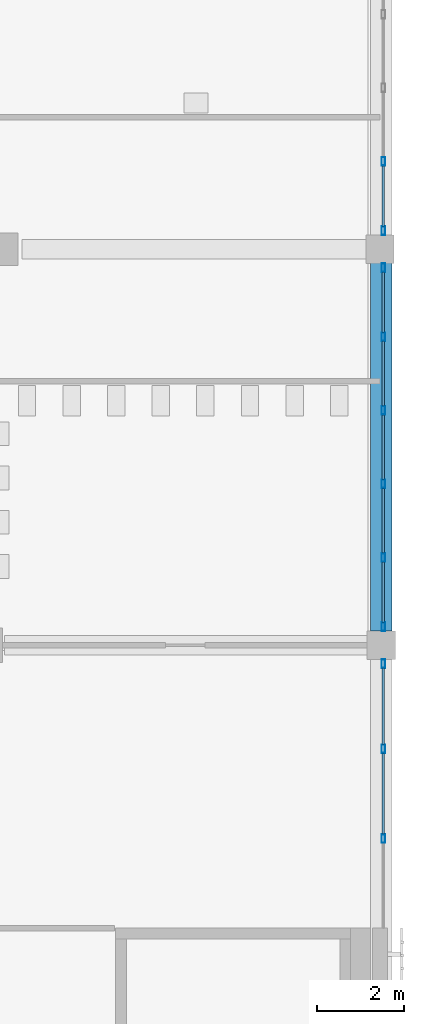
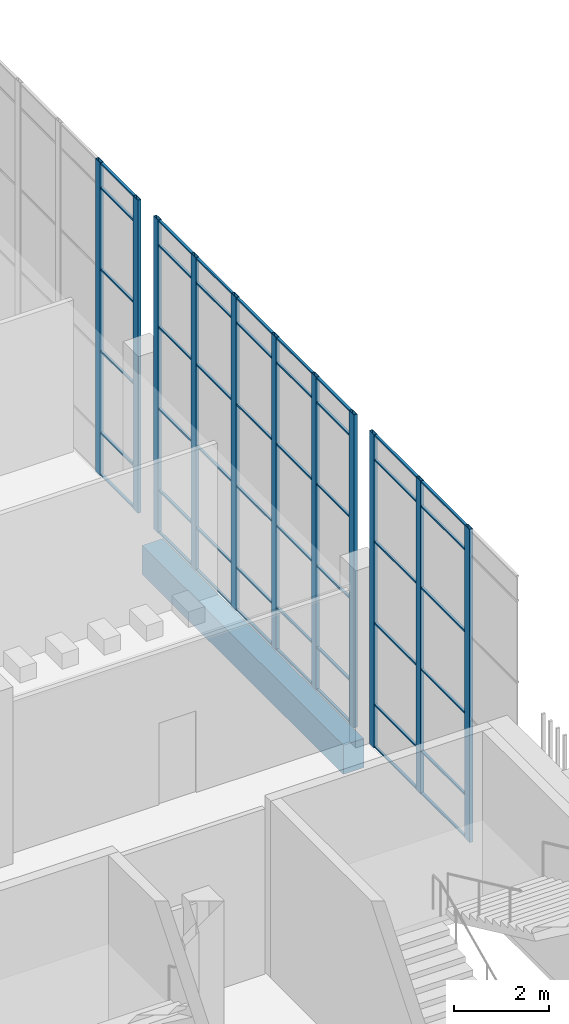
# One storey, part 52 of 126: 59 members, 1 beam, 3 elements without a shape of their own.
"""IFC4 building model written with IfcOpenShell, lengths in metres."""

from ifc_helpers import new_model, si_unit, direction, frame, origin, origin_2d, place, context, subcontext, project, spatial, rectangle, hollow_rectangle, extrude, material, layer, layer_set, material_profile, profile_set, type_object, element, aggregate, save


model = new_model("IFC4")

# Units and contexts
model_context = context("Model", 3, precision=1e-05, world=origin(), true_north=direction((0.0, 1.0)))
body_context = subcontext(model_context, "Body", "Model", "MODEL_VIEW")
ifc_project = project(units=[si_unit("LENGTHUNIT", "METRE"), si_unit("AREAUNIT", "SQUARE_METRE"), si_unit("VOLUMEUNIT", "CUBIC_METRE"), si_unit("PLANEANGLEUNIT", "RADIAN"), si_unit("MASSUNIT", "GRAM", prefix="KILO")], contexts=[model_context])

# Site, building, storey
site_placement = place(None, origin())
site = spatial("IfcSite", under=ifc_project, at=site_placement, CompositionType="ELEMENT")
building_placement = place(site_placement, origin())
building = spatial("IfcBuilding", under=site, at=building_placement, Name="Shirokan Park Arena", CompositionType="ELEMENT")
storey_placement = place(building_placement, frame((0.0, 0.0, 6.3701171875)))
storey = spatial("IfcBuildingStorey", under=building, at=storey_placement, Name="L01", CompositionType="ELEMENT", Elevation=6.3701171875)

# Curtain wall, members
ifc_material_1 = material(Name="Steel and glass curtain wall", Category="steel")
ifc_layer = layer(ifc_material_1, 0.199951171875)
ifc_layer_set = layer_set([ifc_layer], Name="Steel and glass curtain wall 200 mm")
curtain_wall_type = type_object("IfcCurtainWallType", Name="Curtain wall hall bay 200", PredefinedType="NOTDEFINED", material=ifc_layer_set)
curtain_wall_1_placement = place(storey_placement, origin())
curtain_wall_1 = element("IfcCurtainWall", 1, at=curtain_wall_1_placement, inside=storey, type_object=curtain_wall_type, Name="Curtain wall east bay 4 L01", PredefinedType="NOTDEFINED")
ifc_material_2 = material(Name="Steel S355", Category="steel")
ifc_material_profile_1 = material_profile(ifc_material_2, hollow_rectangle(XDim=0.080078125, YDim=0.199951171875, WallThickness=0.008056640625, at=origin_2d()), Name="RHS 200x80x8")
ifc_profile_set_1 = profile_set([ifc_material_profile_1], Name="Steel S355")
member_type_1 = type_object("IfcMemberType", Name="Mullion RHS 200x80x8", PredefinedType="MULLION", material=ifc_profile_set_1)
member_1_placement = place(storey_placement, frame((145.64990234375, 31.958251953125, 0.0), z_axis=(0.0, 0.0, 1.0), x_axis=(-1.0, 0.0, 0.0)))
member_1 = element("IfcMember", 2, at=member_1_placement, type_object=member_type_1, Name="CW5 mullion 2", PredefinedType="MULLION", context=body_context, shape_type="SweptSolid", body=[
    extrude(hollow_rectangle(XDim=0.080078125, YDim=0.199951171875, WallThickness=0.008056640625, at=origin_2d()), origin(), (0.0, 0.0, 1.0), 8.0498046875),
])
member_2_placement = place(storey_placement, frame((145.64990234375, 34.0166015625, 0.0), z_axis=(0.0, 0.0, 1.0), x_axis=(-1.0, 0.0, 0.0)))
member_2 = element("IfcMember", 3, at=member_2_placement, type_object=member_type_1, Name="CW5 mullion 3", PredefinedType="MULLION", context=body_context, shape_type="SweptSolid", body=[
    extrude(hollow_rectangle(XDim=0.080078125, YDim=0.199951171875, WallThickness=0.008056640625, at=origin_2d()), origin(), (0.0, 0.0, 1.0), 8.0498046875),
])
member_3_placement = place(storey_placement, frame((145.64990234375, 35.97509765625, 0.0), z_axis=(0.0, 0.0, 1.0), x_axis=(-1.0, 0.0, 0.0)))
member_3 = element("IfcMember", 4, at=member_3_placement, type_object=member_type_1, Name="CW5 mullion 4", PredefinedType="MULLION", context=body_context, shape_type="SweptSolid", body=[
    extrude(hollow_rectangle(XDim=0.080078125, YDim=0.199951171875, WallThickness=0.008056640625, at=origin_2d()), origin(), (0.0, 0.0, 1.0), 8.0498046875),
])

curtain_wall_2_placement = place(storey_placement, origin())
curtain_wall_2 = element("IfcCurtainWall", 5, at=curtain_wall_2_placement, inside=storey, type_object=curtain_wall_type, Name="Curtain wall east bay 5 L01", PredefinedType="NOTDEFINED")
member_4_placement = place(storey_placement, frame((145.64990234375, 36.824951171875, 0.0), z_axis=(0.0, 0.0, 1.0), x_axis=(-1.0, 0.0, 0.0)))
member_4 = element("IfcMember", 6, at=member_4_placement, type_object=member_type_1, Name="CW5 mullion 1", PredefinedType="MULLION", context=body_context, shape_type="SweptSolid", body=[
    extrude(hollow_rectangle(XDim=0.080078125, YDim=0.199951171875, WallThickness=0.008056640625, at=origin_2d()), origin(), (0.0, 0.0, 1.0), 8.0498046875),
])
member_5_placement = place(storey_placement, frame((145.64990234375, 38.4150390625, 0.0), z_axis=(0.0, 0.0, 1.0), x_axis=(-1.0, 0.0, 0.0)))
member_5 = element("IfcMember", 7, at=member_5_placement, type_object=member_type_1, Name="CW5 mullion 2", PredefinedType="MULLION", context=body_context, shape_type="SweptSolid", body=[
    extrude(hollow_rectangle(XDim=0.080078125, YDim=0.199951171875, WallThickness=0.008056640625, at=origin_2d()), origin(), (0.0, 0.0, 1.0), 8.0498046875),
])
member_6_placement = place(storey_placement, frame((145.64990234375, 40.10498046875, 0.0), z_axis=(0.0, 0.0, 1.0), x_axis=(-1.0, 0.0, 0.0)))
member_6 = element("IfcMember", 8, at=member_6_placement, type_object=member_type_1, Name="CW5 mullion 3", PredefinedType="MULLION", context=body_context, shape_type="SweptSolid", body=[
    extrude(hollow_rectangle(XDim=0.080078125, YDim=0.199951171875, WallThickness=0.008056640625, at=origin_2d()), origin(), (0.0, 0.0, 1.0), 8.0498046875),
])
member_7_placement = place(storey_placement, frame((145.64990234375, 41.794921875, 0.0), z_axis=(0.0, 0.0, 1.0), x_axis=(-1.0, 0.0, 0.0)))
member_7 = element("IfcMember", 9, at=member_7_placement, type_object=member_type_1, Name="CW5 mullion 4", PredefinedType="MULLION", context=body_context, shape_type="SweptSolid", body=[
    extrude(hollow_rectangle(XDim=0.080078125, YDim=0.199951171875, WallThickness=0.008056640625, at=origin_2d()), origin(), (0.0, 0.0, 1.0), 8.0498046875),
])
member_8_placement = place(storey_placement, frame((145.64990234375, 43.485107421875, 0.0), z_axis=(0.0, 0.0, 1.0), x_axis=(-1.0, 0.0, 0.0)))
member_8 = element("IfcMember", 10, at=member_8_placement, type_object=member_type_1, Name="CW5 mullion 5", PredefinedType="MULLION", context=body_context, shape_type="SweptSolid", body=[
    extrude(hollow_rectangle(XDim=0.080078125, YDim=0.199951171875, WallThickness=0.008056640625, at=origin_2d()), origin(), (0.0, 0.0, 1.0), 8.0498046875),
])
member_9_placement = place(storey_placement, frame((145.64990234375, 45.074951171875, 0.0), z_axis=(0.0, 0.0, 1.0), x_axis=(-1.0, 0.0, 0.0)))
member_9 = element("IfcMember", 11, at=member_9_placement, type_object=member_type_1, Name="CW5 mullion 6", PredefinedType="MULLION", context=body_context, shape_type="SweptSolid", body=[
    extrude(hollow_rectangle(XDim=0.080078125, YDim=0.199951171875, WallThickness=0.008056640625, at=origin_2d()), origin(), (0.0, 0.0, 1.0), 8.0498046875),
])

curtain_wall_3_placement = place(storey_placement, origin())
curtain_wall_3 = element("IfcCurtainWall", 12, at=curtain_wall_3_placement, inside=storey, type_object=curtain_wall_type, Name="Curtain wall east bay 6 L01", PredefinedType="NOTDEFINED")
member_10_placement = place(storey_placement, frame((145.64990234375, 45.925048828125, 0.0), z_axis=(0.0, 0.0, 1.0), x_axis=(-1.0, 0.0, 0.0)))
member_10 = element("IfcMember", 13, at=member_10_placement, type_object=member_type_1, Name="CW5 mullion 1", PredefinedType="MULLION", context=body_context, shape_type="SweptSolid", body=[
    extrude(hollow_rectangle(XDim=0.080078125, YDim=0.199951171875, WallThickness=0.008056640625, at=origin_2d()), origin(), (0.0, 0.0, 1.0), 8.0498046875),
])
member_11_placement = place(storey_placement, frame((145.64990234375, 47.514892578125, 0.0), z_axis=(0.0, 0.0, 1.0), x_axis=(-1.0, 0.0, 0.0)))
member_11 = element("IfcMember", 14, at=member_11_placement, type_object=member_type_1, Name="CW5 mullion 2", PredefinedType="MULLION", context=body_context, shape_type="SweptSolid", body=[
    extrude(hollow_rectangle(XDim=0.080078125, YDim=0.199951171875, WallThickness=0.008056640625, at=origin_2d()), origin(), (0.0, 0.0, 1.0), 8.0498046875),
])

# Beam
ifc_material_3 = material(Name="Concrete C35", Category="concrete")
ifc_material_profile_2 = material_profile(ifc_material_3, rectangle(XDim=0.5, YDim=0.75, at=origin_2d()), Name="500x750")
ifc_profile_set_2 = profile_set([ifc_material_profile_2], Name="Concrete C35")
beam_type = type_object("IfcBeamType", Name="RC girder 500x750", PredefinedType="BEAM", material=ifc_profile_set_2)
beam_placement = place(storey_placement, frame((145.60009765625, 36.72509765625, -0.72509765625), z_axis=(0.0, 1.0, 0.0), x_axis=(-1.0, 0.0, 0.0)))
element("IfcBeam", 15, at=beam_placement, inside=storey, type_object=beam_type, Name="Girder 17E-17F L01", PredefinedType="BEAM", context=body_context, shape_type="SweptSolid", body=[
    extrude(rectangle(XDim=0.5, YDim=0.75, at=origin_2d()), origin(), (0.0, 0.0, 1.0), 8.474853515625),
])

# Member
ifc_material_profile_3 = material_profile(ifc_material_2, hollow_rectangle(XDim=0.06005859375, YDim=0.0400390625, WallThickness=0.00390625, at=origin_2d()), Name="RHS 60x40x4")
ifc_profile_set_3 = profile_set([ifc_material_profile_3], Name="Steel S355")
member_type_2 = type_object("IfcMemberType", Name="Transom RHS 60x40x4", PredefinedType="MULLION", material=ifc_profile_set_3)
member_12_placement = place(storey_placement, frame((145.64990234375, 32.058349609375, 0.019775390625), z_axis=(0.0, 1.0, 0.0), x_axis=(-1.0, 0.0, 0.0)))
member_12 = element("IfcMember", 16, at=member_12_placement, type_object=member_type_2, Name="CW5 transom 2.1", PredefinedType="MULLION", context=body_context, shape_type="SweptSolid", body=[
    extrude(hollow_rectangle(XDim=0.06005859375, YDim=0.0400390625, WallThickness=0.00390625, at=origin_2d()), origin(), (0.0, 0.0, 1.0), 1.8583984375),
])

member_13_placement = place(storey_placement, frame((145.64990234375, 32.058349609375, 1.099853515625), z_axis=(0.0, 1.0, 0.0), x_axis=(-1.0, 0.0, 0.0)))
member_13 = element("IfcMember", 17, at=member_13_placement, type_object=member_type_2, Name="CW5 transom 2.2", PredefinedType="MULLION", context=body_context, shape_type="SweptSolid", body=[
    extrude(hollow_rectangle(XDim=0.06005859375, YDim=0.0400390625, WallThickness=0.00390625, at=origin_2d()), origin(), (0.0, 0.0, 1.0), 1.8583984375),
])

member_14_placement = place(storey_placement, frame((145.64990234375, 32.058349609375, 3.199951171875), z_axis=(0.0, 1.0, 0.0), x_axis=(-1.0, 0.0, 0.0)))
member_14 = element("IfcMember", 18, at=member_14_placement, type_object=member_type_2, Name="CW5 transom 2.3", PredefinedType="MULLION", context=body_context, shape_type="SweptSolid", body=[
    extrude(hollow_rectangle(XDim=0.06005859375, YDim=0.0400390625, WallThickness=0.00390625, at=origin_2d()), origin(), (0.0, 0.0, 1.0), 1.8583984375),
])

member_15_placement = place(storey_placement, frame((145.64990234375, 32.058349609375, 5.2998046875), z_axis=(0.0, 1.0, 0.0), x_axis=(-1.0, 0.0, 0.0)))
member_15 = element("IfcMember", 19, at=member_15_placement, type_object=member_type_2, Name="CW5 transom 2.4", PredefinedType="MULLION", context=body_context, shape_type="SweptSolid", body=[
    extrude(hollow_rectangle(XDim=0.06005859375, YDim=0.0400390625, WallThickness=0.00390625, at=origin_2d()), origin(), (0.0, 0.0, 1.0), 1.8583984375),
])

member_16_placement = place(storey_placement, frame((145.64990234375, 32.058349609375, 7.39990234375), z_axis=(0.0, 1.0, 0.0), x_axis=(-1.0, 0.0, 0.0)))
member_16 = element("IfcMember", 20, at=member_16_placement, type_object=member_type_2, Name="CW5 transom 2.5", PredefinedType="MULLION", context=body_context, shape_type="SweptSolid", body=[
    extrude(hollow_rectangle(XDim=0.06005859375, YDim=0.0400390625, WallThickness=0.00390625, at=origin_2d()), origin(), (0.0, 0.0, 1.0), 1.8583984375),
])

member_17_placement = place(storey_placement, frame((145.64990234375, 32.058349609375, 8.02978515625), z_axis=(0.0, 1.0, 0.0), x_axis=(-1.0, 0.0, 0.0)))
member_17 = element("IfcMember", 21, at=member_17_placement, type_object=member_type_2, Name="CW5 transom 2.6", PredefinedType="MULLION", context=body_context, shape_type="SweptSolid", body=[
    extrude(hollow_rectangle(XDim=0.06005859375, YDim=0.0400390625, WallThickness=0.00390625, at=origin_2d()), origin(), (0.0, 0.0, 1.0), 1.8583984375),
])

member_18_placement = place(storey_placement, frame((145.64990234375, 34.11669921875, 0.019775390625), z_axis=(0.0, 1.0, 0.0), x_axis=(-1.0, 0.0, 0.0)))
member_18 = element("IfcMember", 22, at=member_18_placement, type_object=member_type_2, Name="CW5 transom 3.1", PredefinedType="MULLION", context=body_context, shape_type="SweptSolid", body=[
    extrude(hollow_rectangle(XDim=0.06005859375, YDim=0.0400390625, WallThickness=0.00390625, at=origin_2d()), origin(), (0.0, 0.0, 1.0), 1.75830078125),
])

member_19_placement = place(storey_placement, frame((145.64990234375, 34.11669921875, 1.099853515625), z_axis=(0.0, 1.0, 0.0), x_axis=(-1.0, 0.0, 0.0)))
member_19 = element("IfcMember", 23, at=member_19_placement, type_object=member_type_2, Name="CW5 transom 3.2", PredefinedType="MULLION", context=body_context, shape_type="SweptSolid", body=[
    extrude(hollow_rectangle(XDim=0.06005859375, YDim=0.0400390625, WallThickness=0.00390625, at=origin_2d()), origin(), (0.0, 0.0, 1.0), 1.75830078125),
])

member_20_placement = place(storey_placement, frame((145.64990234375, 34.11669921875, 3.199951171875), z_axis=(0.0, 1.0, 0.0), x_axis=(-1.0, 0.0, 0.0)))
member_20 = element("IfcMember", 24, at=member_20_placement, type_object=member_type_2, Name="CW5 transom 3.3", PredefinedType="MULLION", context=body_context, shape_type="SweptSolid", body=[
    extrude(hollow_rectangle(XDim=0.06005859375, YDim=0.0400390625, WallThickness=0.00390625, at=origin_2d()), origin(), (0.0, 0.0, 1.0), 1.75830078125),
])

member_21_placement = place(storey_placement, frame((145.64990234375, 34.11669921875, 5.2998046875), z_axis=(0.0, 1.0, 0.0), x_axis=(-1.0, 0.0, 0.0)))
member_21 = element("IfcMember", 25, at=member_21_placement, type_object=member_type_2, Name="CW5 transom 3.4", PredefinedType="MULLION", context=body_context, shape_type="SweptSolid", body=[
    extrude(hollow_rectangle(XDim=0.06005859375, YDim=0.0400390625, WallThickness=0.00390625, at=origin_2d()), origin(), (0.0, 0.0, 1.0), 1.75830078125),
])

member_22_placement = place(storey_placement, frame((145.64990234375, 34.11669921875, 7.39990234375), z_axis=(0.0, 1.0, 0.0), x_axis=(-1.0, 0.0, 0.0)))
member_22 = element("IfcMember", 26, at=member_22_placement, type_object=member_type_2, Name="CW5 transom 3.5", PredefinedType="MULLION", context=body_context, shape_type="SweptSolid", body=[
    extrude(hollow_rectangle(XDim=0.06005859375, YDim=0.0400390625, WallThickness=0.00390625, at=origin_2d()), origin(), (0.0, 0.0, 1.0), 1.75830078125),
])

member_23_placement = place(storey_placement, frame((145.64990234375, 34.11669921875, 8.02978515625), z_axis=(0.0, 1.0, 0.0), x_axis=(-1.0, 0.0, 0.0)))
member_23 = element("IfcMember", 27, at=member_23_placement, type_object=member_type_2, Name="CW5 transom 3.6", PredefinedType="MULLION", context=body_context, shape_type="SweptSolid", body=[
    extrude(hollow_rectangle(XDim=0.06005859375, YDim=0.0400390625, WallThickness=0.00390625, at=origin_2d()), origin(), (0.0, 0.0, 1.0), 1.75830078125),
])

aggregate(curtain_wall_1, [member_1, member_2, member_3, member_12, member_13, member_14, member_15, member_16, member_17, member_18, member_19, member_20, member_21, member_22, member_23])

member_24_placement = place(storey_placement, frame((145.64990234375, 36.925048828125, 0.019775390625), z_axis=(0.0, 1.0, 0.0), x_axis=(-1.0, 0.0, 0.0)))
member_24 = element("IfcMember", 28, at=member_24_placement, type_object=member_type_2, Name="CW5 transom 1.1", PredefinedType="MULLION", context=body_context, shape_type="SweptSolid", body=[
    extrude(hollow_rectangle(XDim=0.06005859375, YDim=0.0400390625, WallThickness=0.00390625, at=origin_2d()), origin(), (0.0, 0.0, 1.0), 1.389892578125),
])

member_25_placement = place(storey_placement, frame((145.64990234375, 36.925048828125, 1.099853515625), z_axis=(0.0, 1.0, 0.0), x_axis=(-1.0, 0.0, 0.0)))
member_25 = element("IfcMember", 29, at=member_25_placement, type_object=member_type_2, Name="CW5 transom 1.2", PredefinedType="MULLION", context=body_context, shape_type="SweptSolid", body=[
    extrude(hollow_rectangle(XDim=0.06005859375, YDim=0.0400390625, WallThickness=0.00390625, at=origin_2d()), origin(), (0.0, 0.0, 1.0), 1.389892578125),
])

member_26_placement = place(storey_placement, frame((145.64990234375, 36.925048828125, 3.199951171875), z_axis=(0.0, 1.0, 0.0), x_axis=(-1.0, 0.0, 0.0)))
member_26 = element("IfcMember", 30, at=member_26_placement, type_object=member_type_2, Name="CW5 transom 1.3", PredefinedType="MULLION", context=body_context, shape_type="SweptSolid", body=[
    extrude(hollow_rectangle(XDim=0.06005859375, YDim=0.0400390625, WallThickness=0.00390625, at=origin_2d()), origin(), (0.0, 0.0, 1.0), 1.389892578125),
])

member_27_placement = place(storey_placement, frame((145.64990234375, 36.925048828125, 5.2998046875), z_axis=(0.0, 1.0, 0.0), x_axis=(-1.0, 0.0, 0.0)))
member_27 = element("IfcMember", 31, at=member_27_placement, type_object=member_type_2, Name="CW5 transom 1.4", PredefinedType="MULLION", context=body_context, shape_type="SweptSolid", body=[
    extrude(hollow_rectangle(XDim=0.06005859375, YDim=0.0400390625, WallThickness=0.00390625, at=origin_2d()), origin(), (0.0, 0.0, 1.0), 1.389892578125),
])

member_28_placement = place(storey_placement, frame((145.64990234375, 36.925048828125, 7.39990234375), z_axis=(0.0, 1.0, 0.0), x_axis=(-1.0, 0.0, 0.0)))
member_28 = element("IfcMember", 32, at=member_28_placement, type_object=member_type_2, Name="CW5 transom 1.5", PredefinedType="MULLION", context=body_context, shape_type="SweptSolid", body=[
    extrude(hollow_rectangle(XDim=0.06005859375, YDim=0.0400390625, WallThickness=0.00390625, at=origin_2d()), origin(), (0.0, 0.0, 1.0), 1.389892578125),
])

member_29_placement = place(storey_placement, frame((145.64990234375, 36.925048828125, 8.02978515625), z_axis=(0.0, 1.0, 0.0), x_axis=(-1.0, 0.0, 0.0)))
member_29 = element("IfcMember", 33, at=member_29_placement, type_object=member_type_2, Name="CW5 transom 1.6", PredefinedType="MULLION", context=body_context, shape_type="SweptSolid", body=[
    extrude(hollow_rectangle(XDim=0.06005859375, YDim=0.0400390625, WallThickness=0.00390625, at=origin_2d()), origin(), (0.0, 0.0, 1.0), 1.389892578125),
])

member_30_placement = place(storey_placement, frame((145.64990234375, 38.514892578125, 0.019775390625), z_axis=(0.0, 1.0, 0.0), x_axis=(-1.0, 0.0, 0.0)))
member_30 = element("IfcMember", 34, at=member_30_placement, type_object=member_type_2, Name="CW5 transom 2.1", PredefinedType="MULLION", context=body_context, shape_type="SweptSolid", body=[
    extrude(hollow_rectangle(XDim=0.06005859375, YDim=0.0400390625, WallThickness=0.00390625, at=origin_2d()), origin(), (0.0, 0.0, 1.0), 1.489990234375),
])

member_31_placement = place(storey_placement, frame((145.64990234375, 38.514892578125, 1.099853515625), z_axis=(0.0, 1.0, 0.0), x_axis=(-1.0, 0.0, 0.0)))
member_31 = element("IfcMember", 35, at=member_31_placement, type_object=member_type_2, Name="CW5 transom 2.2", PredefinedType="MULLION", context=body_context, shape_type="SweptSolid", body=[
    extrude(hollow_rectangle(XDim=0.06005859375, YDim=0.0400390625, WallThickness=0.00390625, at=origin_2d()), origin(), (0.0, 0.0, 1.0), 1.489990234375),
])

member_32_placement = place(storey_placement, frame((145.64990234375, 38.514892578125, 3.199951171875), z_axis=(0.0, 1.0, 0.0), x_axis=(-1.0, 0.0, 0.0)))
member_32 = element("IfcMember", 36, at=member_32_placement, type_object=member_type_2, Name="CW5 transom 2.3", PredefinedType="MULLION", context=body_context, shape_type="SweptSolid", body=[
    extrude(hollow_rectangle(XDim=0.06005859375, YDim=0.0400390625, WallThickness=0.00390625, at=origin_2d()), origin(), (0.0, 0.0, 1.0), 1.489990234375),
])

member_33_placement = place(storey_placement, frame((145.64990234375, 38.514892578125, 5.2998046875), z_axis=(0.0, 1.0, 0.0), x_axis=(-1.0, 0.0, 0.0)))
member_33 = element("IfcMember", 37, at=member_33_placement, type_object=member_type_2, Name="CW5 transom 2.4", PredefinedType="MULLION", context=body_context, shape_type="SweptSolid", body=[
    extrude(hollow_rectangle(XDim=0.06005859375, YDim=0.0400390625, WallThickness=0.00390625, at=origin_2d()), origin(), (0.0, 0.0, 1.0), 1.489990234375),
])

member_34_placement = place(storey_placement, frame((145.64990234375, 38.514892578125, 7.39990234375), z_axis=(0.0, 1.0, 0.0), x_axis=(-1.0, 0.0, 0.0)))
member_34 = element("IfcMember", 38, at=member_34_placement, type_object=member_type_2, Name="CW5 transom 2.5", PredefinedType="MULLION", context=body_context, shape_type="SweptSolid", body=[
    extrude(hollow_rectangle(XDim=0.06005859375, YDim=0.0400390625, WallThickness=0.00390625, at=origin_2d()), origin(), (0.0, 0.0, 1.0), 1.489990234375),
])

member_35_placement = place(storey_placement, frame((145.64990234375, 38.514892578125, 8.02978515625), z_axis=(0.0, 1.0, 0.0), x_axis=(-1.0, 0.0, 0.0)))
member_35 = element("IfcMember", 39, at=member_35_placement, type_object=member_type_2, Name="CW5 transom 2.6", PredefinedType="MULLION", context=body_context, shape_type="SweptSolid", body=[
    extrude(hollow_rectangle(XDim=0.06005859375, YDim=0.0400390625, WallThickness=0.00390625, at=origin_2d()), origin(), (0.0, 0.0, 1.0), 1.489990234375),
])

member_36_placement = place(storey_placement, frame((145.64990234375, 40.205078125, 0.019775390625), z_axis=(0.0, 1.0, 0.0), x_axis=(-1.0, 0.0, 0.0)))
member_36 = element("IfcMember", 40, at=member_36_placement, type_object=member_type_2, Name="CW5 transom 3.1", PredefinedType="MULLION", context=body_context, shape_type="SweptSolid", body=[
    extrude(hollow_rectangle(XDim=0.06005859375, YDim=0.0400390625, WallThickness=0.00390625, at=origin_2d()), origin(), (0.0, 0.0, 1.0), 1.489990234375),
])

member_37_placement = place(storey_placement, frame((145.64990234375, 40.205078125, 1.099853515625), z_axis=(0.0, 1.0, 0.0), x_axis=(-1.0, 0.0, 0.0)))
member_37 = element("IfcMember", 41, at=member_37_placement, type_object=member_type_2, Name="CW5 transom 3.2", PredefinedType="MULLION", context=body_context, shape_type="SweptSolid", body=[
    extrude(hollow_rectangle(XDim=0.06005859375, YDim=0.0400390625, WallThickness=0.00390625, at=origin_2d()), origin(), (0.0, 0.0, 1.0), 1.489990234375),
])

member_38_placement = place(storey_placement, frame((145.64990234375, 40.205078125, 3.199951171875), z_axis=(0.0, 1.0, 0.0), x_axis=(-1.0, 0.0, 0.0)))
member_38 = element("IfcMember", 42, at=member_38_placement, type_object=member_type_2, Name="CW5 transom 3.3", PredefinedType="MULLION", context=body_context, shape_type="SweptSolid", body=[
    extrude(hollow_rectangle(XDim=0.06005859375, YDim=0.0400390625, WallThickness=0.00390625, at=origin_2d()), origin(), (0.0, 0.0, 1.0), 1.489990234375),
])

member_39_placement = place(storey_placement, frame((145.64990234375, 40.205078125, 5.2998046875), z_axis=(0.0, 1.0, 0.0), x_axis=(-1.0, 0.0, 0.0)))
member_39 = element("IfcMember", 43, at=member_39_placement, type_object=member_type_2, Name="CW5 transom 3.4", PredefinedType="MULLION", context=body_context, shape_type="SweptSolid", body=[
    extrude(hollow_rectangle(XDim=0.06005859375, YDim=0.0400390625, WallThickness=0.00390625, at=origin_2d()), origin(), (0.0, 0.0, 1.0), 1.489990234375),
])

member_40_placement = place(storey_placement, frame((145.64990234375, 40.205078125, 7.39990234375), z_axis=(0.0, 1.0, 0.0), x_axis=(-1.0, 0.0, 0.0)))
member_40 = element("IfcMember", 44, at=member_40_placement, type_object=member_type_2, Name="CW5 transom 3.5", PredefinedType="MULLION", context=body_context, shape_type="SweptSolid", body=[
    extrude(hollow_rectangle(XDim=0.06005859375, YDim=0.0400390625, WallThickness=0.00390625, at=origin_2d()), origin(), (0.0, 0.0, 1.0), 1.489990234375),
])

member_41_placement = place(storey_placement, frame((145.64990234375, 40.205078125, 8.02978515625), z_axis=(0.0, 1.0, 0.0), x_axis=(-1.0, 0.0, 0.0)))
member_41 = element("IfcMember", 45, at=member_41_placement, type_object=member_type_2, Name="CW5 transom 3.6", PredefinedType="MULLION", context=body_context, shape_type="SweptSolid", body=[
    extrude(hollow_rectangle(XDim=0.06005859375, YDim=0.0400390625, WallThickness=0.00390625, at=origin_2d()), origin(), (0.0, 0.0, 1.0), 1.489990234375),
])

member_42_placement = place(storey_placement, frame((145.64990234375, 41.89501953125, 0.019775390625), z_axis=(0.0, 1.0, 0.0), x_axis=(-1.0, 0.0, 0.0)))
member_42 = element("IfcMember", 46, at=member_42_placement, type_object=member_type_2, Name="CW5 transom 4.1", PredefinedType="MULLION", context=body_context, shape_type="SweptSolid", body=[
    extrude(hollow_rectangle(XDim=0.06005859375, YDim=0.0400390625, WallThickness=0.00390625, at=origin_2d()), origin(), (0.0, 0.0, 1.0), 1.489990234375),
])

member_43_placement = place(storey_placement, frame((145.64990234375, 41.89501953125, 1.099853515625), z_axis=(0.0, 1.0, 0.0), x_axis=(-1.0, 0.0, 0.0)))
member_43 = element("IfcMember", 47, at=member_43_placement, type_object=member_type_2, Name="CW5 transom 4.2", PredefinedType="MULLION", context=body_context, shape_type="SweptSolid", body=[
    extrude(hollow_rectangle(XDim=0.06005859375, YDim=0.0400390625, WallThickness=0.00390625, at=origin_2d()), origin(), (0.0, 0.0, 1.0), 1.489990234375),
])

member_44_placement = place(storey_placement, frame((145.64990234375, 41.89501953125, 3.199951171875), z_axis=(0.0, 1.0, 0.0), x_axis=(-1.0, 0.0, 0.0)))
member_44 = element("IfcMember", 48, at=member_44_placement, type_object=member_type_2, Name="CW5 transom 4.3", PredefinedType="MULLION", context=body_context, shape_type="SweptSolid", body=[
    extrude(hollow_rectangle(XDim=0.06005859375, YDim=0.0400390625, WallThickness=0.00390625, at=origin_2d()), origin(), (0.0, 0.0, 1.0), 1.489990234375),
])

member_45_placement = place(storey_placement, frame((145.64990234375, 41.89501953125, 5.2998046875), z_axis=(0.0, 1.0, 0.0), x_axis=(-1.0, 0.0, 0.0)))
member_45 = element("IfcMember", 49, at=member_45_placement, type_object=member_type_2, Name="CW5 transom 4.4", PredefinedType="MULLION", context=body_context, shape_type="SweptSolid", body=[
    extrude(hollow_rectangle(XDim=0.06005859375, YDim=0.0400390625, WallThickness=0.00390625, at=origin_2d()), origin(), (0.0, 0.0, 1.0), 1.489990234375),
])

member_46_placement = place(storey_placement, frame((145.64990234375, 41.89501953125, 7.39990234375), z_axis=(0.0, 1.0, 0.0), x_axis=(-1.0, 0.0, 0.0)))
member_46 = element("IfcMember", 50, at=member_46_placement, type_object=member_type_2, Name="CW5 transom 4.5", PredefinedType="MULLION", context=body_context, shape_type="SweptSolid", body=[
    extrude(hollow_rectangle(XDim=0.06005859375, YDim=0.0400390625, WallThickness=0.00390625, at=origin_2d()), origin(), (0.0, 0.0, 1.0), 1.489990234375),
])

member_47_placement = place(storey_placement, frame((145.64990234375, 41.89501953125, 8.02978515625), z_axis=(0.0, 1.0, 0.0), x_axis=(-1.0, 0.0, 0.0)))
member_47 = element("IfcMember", 51, at=member_47_placement, type_object=member_type_2, Name="CW5 transom 4.6", PredefinedType="MULLION", context=body_context, shape_type="SweptSolid", body=[
    extrude(hollow_rectangle(XDim=0.06005859375, YDim=0.0400390625, WallThickness=0.00390625, at=origin_2d()), origin(), (0.0, 0.0, 1.0), 1.489990234375),
])

member_48_placement = place(storey_placement, frame((145.64990234375, 43.5849609375, 0.019775390625), z_axis=(0.0, 1.0, 0.0), x_axis=(-1.0, 0.0, 0.0)))
member_48 = element("IfcMember", 52, at=member_48_placement, type_object=member_type_2, Name="CW5 transom 5.1", PredefinedType="MULLION", context=body_context, shape_type="SweptSolid", body=[
    extrude(hollow_rectangle(XDim=0.06005859375, YDim=0.0400390625, WallThickness=0.00390625, at=origin_2d()), origin(), (0.0, 0.0, 1.0), 1.39013671875),
])

member_49_placement = place(storey_placement, frame((145.64990234375, 43.5849609375, 1.099853515625), z_axis=(0.0, 1.0, 0.0), x_axis=(-1.0, 0.0, 0.0)))
member_49 = element("IfcMember", 53, at=member_49_placement, type_object=member_type_2, Name="CW5 transom 5.2", PredefinedType="MULLION", context=body_context, shape_type="SweptSolid", body=[
    extrude(hollow_rectangle(XDim=0.06005859375, YDim=0.0400390625, WallThickness=0.00390625, at=origin_2d()), origin(), (0.0, 0.0, 1.0), 1.39013671875),
])

member_50_placement = place(storey_placement, frame((145.64990234375, 43.5849609375, 3.199951171875), z_axis=(0.0, 1.0, 0.0), x_axis=(-1.0, 0.0, 0.0)))
member_50 = element("IfcMember", 54, at=member_50_placement, type_object=member_type_2, Name="CW5 transom 5.3", PredefinedType="MULLION", context=body_context, shape_type="SweptSolid", body=[
    extrude(hollow_rectangle(XDim=0.06005859375, YDim=0.0400390625, WallThickness=0.00390625, at=origin_2d()), origin(), (0.0, 0.0, 1.0), 1.39013671875),
])

member_51_placement = place(storey_placement, frame((145.64990234375, 43.5849609375, 5.2998046875), z_axis=(0.0, 1.0, 0.0), x_axis=(-1.0, 0.0, 0.0)))
member_51 = element("IfcMember", 55, at=member_51_placement, type_object=member_type_2, Name="CW5 transom 5.4", PredefinedType="MULLION", context=body_context, shape_type="SweptSolid", body=[
    extrude(hollow_rectangle(XDim=0.06005859375, YDim=0.0400390625, WallThickness=0.00390625, at=origin_2d()), origin(), (0.0, 0.0, 1.0), 1.39013671875),
])

member_52_placement = place(storey_placement, frame((145.64990234375, 43.5849609375, 7.39990234375), z_axis=(0.0, 1.0, 0.0), x_axis=(-1.0, 0.0, 0.0)))
member_52 = element("IfcMember", 56, at=member_52_placement, type_object=member_type_2, Name="CW5 transom 5.5", PredefinedType="MULLION", context=body_context, shape_type="SweptSolid", body=[
    extrude(hollow_rectangle(XDim=0.06005859375, YDim=0.0400390625, WallThickness=0.00390625, at=origin_2d()), origin(), (0.0, 0.0, 1.0), 1.39013671875),
])

member_53_placement = place(storey_placement, frame((145.64990234375, 43.5849609375, 8.02978515625), z_axis=(0.0, 1.0, 0.0), x_axis=(-1.0, 0.0, 0.0)))
member_53 = element("IfcMember", 57, at=member_53_placement, type_object=member_type_2, Name="CW5 transom 5.6", PredefinedType="MULLION", context=body_context, shape_type="SweptSolid", body=[
    extrude(hollow_rectangle(XDim=0.06005859375, YDim=0.0400390625, WallThickness=0.00390625, at=origin_2d()), origin(), (0.0, 0.0, 1.0), 1.39013671875),
])

aggregate(curtain_wall_2, [member_4, member_5, member_6, member_7, member_8, member_9, member_24, member_25, member_26, member_27, member_28, member_29, member_30, member_31, member_32, member_33, member_34, member_35, member_36, member_37, member_38, member_39, member_40, member_41, member_42, member_43, member_44, member_45, member_46, member_47, member_48, member_49, member_50, member_51, member_52, member_53])

member_54_placement = place(storey_placement, frame((145.64990234375, 46.02490234375, 0.019775390625), z_axis=(0.0, 1.0, 0.0), x_axis=(-1.0, 0.0, 0.0)))
member_54 = element("IfcMember", 58, at=member_54_placement, type_object=member_type_2, Name="CW5 transom 1.1", PredefinedType="MULLION", context=body_context, shape_type="SweptSolid", body=[
    extrude(hollow_rectangle(XDim=0.06005859375, YDim=0.0400390625, WallThickness=0.00390625, at=origin_2d()), origin(), (0.0, 0.0, 1.0), 1.39013671875),
])

member_55_placement = place(storey_placement, frame((145.64990234375, 46.02490234375, 1.099853515625), z_axis=(0.0, 1.0, 0.0), x_axis=(-1.0, 0.0, 0.0)))
member_55 = element("IfcMember", 59, at=member_55_placement, type_object=member_type_2, Name="CW5 transom 1.2", PredefinedType="MULLION", context=body_context, shape_type="SweptSolid", body=[
    extrude(hollow_rectangle(XDim=0.06005859375, YDim=0.0400390625, WallThickness=0.00390625, at=origin_2d()), origin(), (0.0, 0.0, 1.0), 1.39013671875),
])

member_56_placement = place(storey_placement, frame((145.64990234375, 46.02490234375, 3.199951171875), z_axis=(0.0, 1.0, 0.0), x_axis=(-1.0, 0.0, 0.0)))
member_56 = element("IfcMember", 60, at=member_56_placement, type_object=member_type_2, Name="CW5 transom 1.3", PredefinedType="MULLION", context=body_context, shape_type="SweptSolid", body=[
    extrude(hollow_rectangle(XDim=0.06005859375, YDim=0.0400390625, WallThickness=0.00390625, at=origin_2d()), origin(), (0.0, 0.0, 1.0), 1.39013671875),
])

member_57_placement = place(storey_placement, frame((145.64990234375, 46.02490234375, 5.2998046875), z_axis=(0.0, 1.0, 0.0), x_axis=(-1.0, 0.0, 0.0)))
member_57 = element("IfcMember", 61, at=member_57_placement, type_object=member_type_2, Name="CW5 transom 1.4", PredefinedType="MULLION", context=body_context, shape_type="SweptSolid", body=[
    extrude(hollow_rectangle(XDim=0.06005859375, YDim=0.0400390625, WallThickness=0.00390625, at=origin_2d()), origin(), (0.0, 0.0, 1.0), 1.39013671875),
])

member_58_placement = place(storey_placement, frame((145.64990234375, 46.02490234375, 7.39990234375), z_axis=(0.0, 1.0, 0.0), x_axis=(-1.0, 0.0, 0.0)))
member_58 = element("IfcMember", 62, at=member_58_placement, type_object=member_type_2, Name="CW5 transom 1.5", PredefinedType="MULLION", context=body_context, shape_type="SweptSolid", body=[
    extrude(hollow_rectangle(XDim=0.06005859375, YDim=0.0400390625, WallThickness=0.00390625, at=origin_2d()), origin(), (0.0, 0.0, 1.0), 1.39013671875),
])

member_59_placement = place(storey_placement, frame((145.64990234375, 46.02490234375, 8.02978515625), z_axis=(0.0, 1.0, 0.0), x_axis=(-1.0, 0.0, 0.0)))
member_59 = element("IfcMember", 63, at=member_59_placement, type_object=member_type_2, Name="CW5 transom 1.6", PredefinedType="MULLION", context=body_context, shape_type="SweptSolid", body=[
    extrude(hollow_rectangle(XDim=0.06005859375, YDim=0.0400390625, WallThickness=0.00390625, at=origin_2d()), origin(), (0.0, 0.0, 1.0), 1.39013671875),
])

aggregate(curtain_wall_3, [member_10, member_11, member_54, member_55, member_56, member_57, member_58, member_59])

save(model, "model.ifc")
